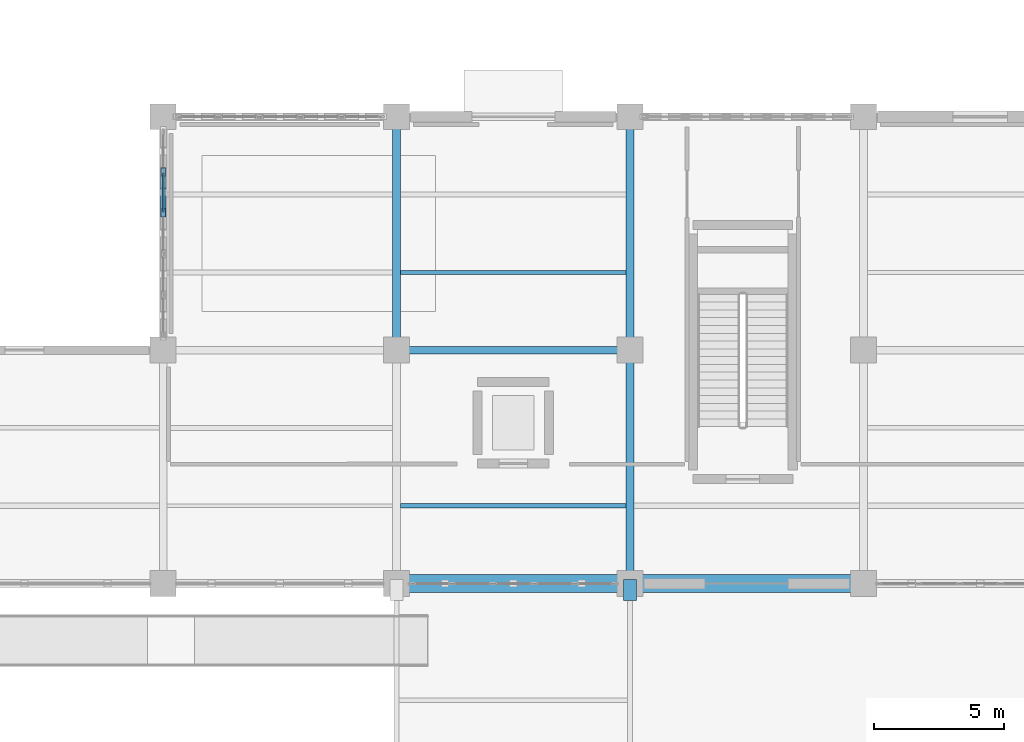
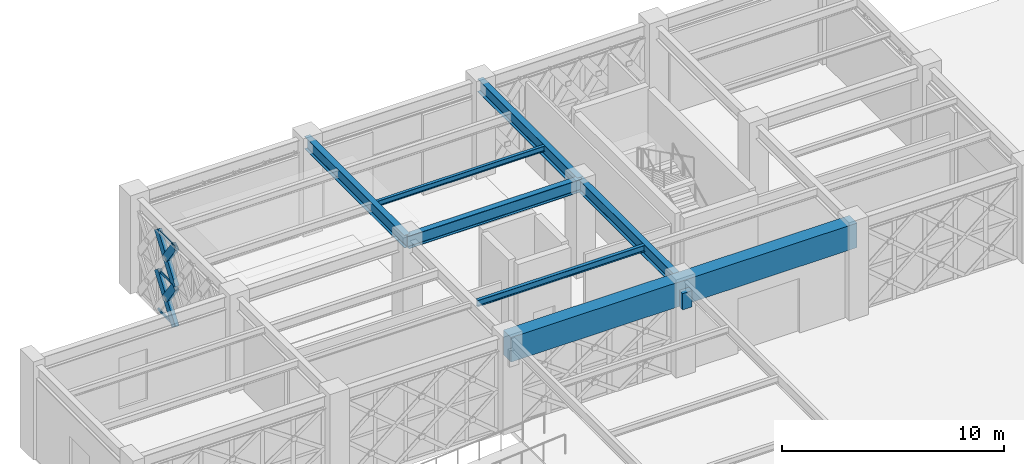
# One storey, part 42 of 140: 8 beams, 7 members, 1 element without a shape of its own.
"""IFC4 building model written with IfcOpenShell, lengths in metres."""

from ifc_helpers import new_model, si_unit, direction, frame, origin, origin_2d, place, context, subcontext, project, spatial, rectangle, hollow_rectangle, i_section, extrude, material, material_profile, profile_set, type_object, element, aggregate, save


model = new_model("IFC4")

# Units and contexts
model_context = context("Model", 3, precision=1e-05, world=origin(), true_north=direction((0.0, 1.0)))
body_context = subcontext(model_context, "Body", "Model", "MODEL_VIEW")
ifc_project = project(units=[si_unit("LENGTHUNIT", "METRE"), si_unit("AREAUNIT", "SQUARE_METRE"), si_unit("VOLUMEUNIT", "CUBIC_METRE"), si_unit("PLANEANGLEUNIT", "RADIAN"), si_unit("MASSUNIT", "GRAM", prefix="KILO")], contexts=[model_context])

# Site, building, storey
site_placement = place(None, origin())
site = spatial("IfcSite", under=ifc_project, at=site_placement, CompositionType="ELEMENT")
building_placement = place(site_placement, origin())
building = spatial("IfcBuilding", under=site, at=building_placement, Name="Haizhuo Lancet Aquarium", CompositionType="ELEMENT")
storey_placement = place(building_placement, origin())
storey = spatial("IfcBuildingStorey", under=building, at=storey_placement, Name="L00", CompositionType="ELEMENT", Elevation=0.0)

# Beams
ifc_material_1 = material(Name="Concrete C40/50", Category="concrete")
ifc_material_profile_1 = material_profile(ifc_material_1, rectangle(XDim=0.5, YDim=0.89990234375, at=origin_2d()), Name="RC-BM 500x900")
ifc_profile_set_1 = profile_set([ifc_material_profile_1], Name="Concrete C40/50")
beam_type_1 = type_object("IfcBeamType", Name="BM-RC-500x900", PredefinedType="BEAM", material=ifc_profile_set_1)
beam_1_placement = place(storey_placement, frame((-54.0, 9.14990234375, 4.205078125), z_axis=(0.0, -1.0, 0.0), x_axis=(1.0, 0.0, 0.0)))
element("IfcBeam", 1, at=beam_1_placement, inside=storey, type_object=beam_type_1, Name="Reinforced concrete bridge bearing corbel SB-01 2N", PredefinedType="BEAM", context=body_context, shape_type="SweptSolid", body=[
    extrude(rectangle(XDim=0.5, YDim=0.89990234375, at=origin_2d()), origin(), (0.0, 0.0, 1.0), 0.7998046875),
])
ifc_material_2 = material(Name="Steel S355", Category="steel")
ifc_material_profile_2 = material_profile(ifc_material_2, i_section(OverallWidth=0.300048828125, OverallDepth=0.699951171875, WebThickness=0.012939453125, FlangeThickness=0.02392578125, FilletRadius=0.02587890625, at=origin_2d()), Name="HN 700x300x13x24")
ifc_profile_set_2 = profile_set([ifc_material_profile_2], Name="Steel S355")
beam_type_2 = type_object("IfcBeamType", Name="BM-ST-HN700", PredefinedType="BEAM", material=ifc_profile_set_2)
for number, where, z_axis, x_axis, name in (
    (2, (-63.0, 18.0, 4.77001953125), (0.0, 1.0, 0.0), (-1.0, 0.0, 0.0), "L00 V2 primary girder BM-L00-V2-010"),
    (3, (-63.0, 18.0, 4.77001953125), (1.0, 0.0, 0.0), (0.0, 1.0, 0.0), "L00 V2 primary girder BM-L00-V2-011"),
    (4, (-54.0, 9.0, 4.77001953125), (0.0, 1.0, 0.0), (-1.0, 0.0, 0.0), "L00 V2 primary girder BM-L00-V2-013"),
    (5, (-54.0, 18.0, 4.77001953125), (0.0, 1.0, 0.0), (-1.0, 0.0, 0.0), "L00 V2 primary girder BM-L00-V2-014"),
):
    element("IfcBeam", number, at=place(storey_placement, frame(where, z_axis=z_axis, x_axis=x_axis)), inside=storey, type_object=beam_type_2, Name=name, PredefinedType="BEAM", context=body_context, shape_type="SweptSolid", body=[
        extrude(i_section(OverallWidth=0.300048828125, OverallDepth=0.699951171875, WebThickness=0.012939453125, FlangeThickness=0.02392578125, FilletRadius=0.02587890625, at=origin_2d()), origin(), (0.0, 0.0, 1.0), 9.0),
    ])
ifc_material_3 = material(Name="Concrete C50/60", Category="concrete")
ifc_material_profile_3 = material_profile(ifc_material_3, rectangle(XDim=0.699951171875, YDim=1.35009765625, at=origin_2d()), Name="RC-TG 700x1350")
ifc_profile_set_3 = profile_set([ifc_material_profile_3], Name="Concrete C50/60")
beam_type_3 = type_object("IfcBeamType", Name="BM-TG-700x1350", PredefinedType="USERDEFINED", material=ifc_profile_set_3)
beam_2_placement = place(storey_placement, frame((-63.0, 9.0, 4.445068359375), z_axis=(1.0, 0.0, 0.0), x_axis=(0.0, 1.0, 0.0)))
element("IfcBeam", 6, at=beam_2_placement, inside=storey, type_object=beam_type_3, Name="Transfer girder BM-L00-TG04", ObjectType="TRANSFER GIRDER", PredefinedType="USERDEFINED", context=body_context, shape_type="SweptSolid", body=[
    extrude(rectangle(XDim=0.699951171875, YDim=1.35009765625, at=origin_2d()), origin(), (0.0, 0.0, 1.0), 18.0),
])

# Curtain wall, members
ifc_material_4 = material(Name="Aluminium 6063-T6", Category="aluminium")
curtain_wall_type = type_object("IfcCurtainWallType", Name="CWD-7910x4420", PredefinedType="NOTDEFINED", material=ifc_material_4)
curtain_wall_placement = place(storey_placement, origin())
curtain_wall = element("IfcCurtainWall", 7, at=curtain_wall_placement, inside=storey, type_object=curtain_wall_type, Name="L00 curtain wall CW-V2-L00-013", PredefinedType="NOTDEFINED")
ifc_material_profile_4 = material_profile(ifc_material_4, hollow_rectangle(XDim=0.06494140625, YDim=0.139892578125, WallThickness=0.00390625, at=origin_2d()), Name="ALU-T 65x140x4")
ifc_profile_set_4 = profile_set([ifc_material_profile_4], Name="Aluminium 6063-T6")
member_type_1 = type_object("IfcMemberType", Name="CW-TRN-1", PredefinedType="NOTDEFINED", material=ifc_profile_set_4)
member_1_placement = place(storey_placement, frame((-72.0, 23.322998046875, 0.032958984375), z_axis=(0.0, 1.0, 0.0), x_axis=(-1.0, 0.0, 0.0)))
member_1 = element("IfcMember", 8, at=member_1_placement, type_object=member_type_1, Name="CWD-79x44 transom 4.1", ObjectType="TRANSOM", PredefinedType="USERDEFINED", context=body_context, shape_type="SweptSolid", body=[
    extrude(hollow_rectangle(XDim=0.06494140625, YDim=0.139892578125, WallThickness=0.00390625, at=origin_2d()), origin(), (0.0, 0.0, 1.0), 1.51708984375),
])
member_2_placement = place(storey_placement, frame((-72.0, 23.322998046875, 2.2099609375), z_axis=(0.0, 1.0, 0.0), x_axis=(-1.0, 0.0, 0.0)))
member_2 = element("IfcMember", 9, at=member_2_placement, type_object=member_type_1, Name="CWD-79x44 transom 4.2", ObjectType="TRANSOM", PredefinedType="USERDEFINED", context=body_context, shape_type="SweptSolid", body=[
    extrude(hollow_rectangle(XDim=0.06494140625, YDim=0.139892578125, WallThickness=0.00390625, at=origin_2d()), origin(), (0.0, 0.0, 1.0), 1.51708984375),
])
member_3_placement = place(storey_placement, frame((-72.0, 23.322998046875, 4.387939453125), z_axis=(0.0, 1.0, 0.0), x_axis=(-1.0, 0.0, 0.0)))
member_3 = element("IfcMember", 10, at=member_3_placement, type_object=member_type_1, Name="CWD-79x44 transom 4.3", ObjectType="TRANSOM", PredefinedType="USERDEFINED", context=body_context, shape_type="SweptSolid", body=[
    extrude(hollow_rectangle(XDim=0.06494140625, YDim=0.139892578125, WallThickness=0.00390625, at=origin_2d()), origin(), (0.0, 0.0, 1.0), 1.51708984375),
])
aggregate(curtain_wall, [member_1, member_2, member_3])

# Beams
ifc_material_profile_5 = material_profile(ifc_material_2, i_section(OverallWidth=0.14990234375, OverallDepth=0.300048828125, WebThickness=0.006591796875, FlangeThickness=0.009033203125, FilletRadius=0.012939453125, at=origin_2d()), Name="HN 300x150x6.5x9")
ifc_profile_set_5 = profile_set([ifc_material_profile_5], Name="Steel S355")
beam_type_4 = type_object("IfcBeamType", Name="JST-ST-HN300", PredefinedType="JOIST", material=ifc_profile_set_5)
beam_3_placement = place(storey_placement, frame((-62.85009765625, 21.0, 4.969970703125), z_axis=(1.0, 0.0, 0.0), x_axis=(0.0, 1.0, 0.0)))
element("IfcBeam", 11, at=beam_3_placement, inside=storey, type_object=beam_type_4, Name="L00 V2 secondary floor joist 8", PredefinedType="JOIST", context=body_context, shape_type="SweptSolid", body=[
    extrude(i_section(OverallWidth=0.14990234375, OverallDepth=0.300048828125, WebThickness=0.006591796875, FlangeThickness=0.009033203125, FilletRadius=0.012939453125, at=origin_2d()), origin(), (0.0, 0.0, 1.0), 8.7001953125),
])
ifc_material_profile_6 = material_profile(ifc_material_2, i_section(OverallWidth=0.175048828125, OverallDepth=0.35009765625, WebThickness=0.007080078125, FlangeThickness=0.010986328125, FilletRadius=0.013916015625, at=origin_2d()), Name="HN 350x175x7x11")
ifc_profile_set_6 = profile_set([ifc_material_profile_6], Name="Steel S355")
beam_type_5 = type_object("IfcBeamType", Name="JST-ST-HN350", PredefinedType="JOIST", material=ifc_profile_set_6)
beam_4_placement = place(storey_placement, frame((-62.85009765625, 12.0, 4.945068359375), z_axis=(1.0, 0.0, 0.0), x_axis=(0.0, 1.0, 0.0)))
element("IfcBeam", 12, at=beam_4_placement, inside=storey, type_object=beam_type_5, Name="L00 V2 secondary floor joist 7", PredefinedType="JOIST", context=body_context, shape_type="SweptSolid", body=[
    extrude(i_section(OverallWidth=0.175048828125, OverallDepth=0.35009765625, WebThickness=0.007080078125, FlangeThickness=0.010986328125, FilletRadius=0.013916015625, at=origin_2d()), origin(), (0.0, 0.0, 1.0), 8.7001953125),
])

# Members
ifc_material_profile_7 = material_profile(ifc_material_2, hollow_rectangle(XDim=0.199951171875, YDim=0.39990234375, WallThickness=0.011962890625, at=origin_2d()), Name="RHS 200x400x12")
ifc_profile_set_7 = profile_set([ifc_material_profile_7], Name="Steel S355")
member_type_2 = type_object("IfcMemberType", Name="MEM-LB-RHS200x400", PredefinedType="BRACE", material=ifc_profile_set_7)
member_4_placement = place(storey_placement, frame((-72.0, 23.291015625, 0.0), z_axis=(0.0, 0.582087604305, 0.813126079347), x_axis=(-1.0, 0.0, 0.0)))
element("IfcMember", 13, at=member_4_placement, inside=storey, type_object=member_type_2, Name="Gothic lancet continuous diagonal brace CW-V2-L00-013 7A", PredefinedType="BRACE", context=body_context, shape_type="SweptSolid", body=[
    extrude(hollow_rectangle(XDim=0.199951171875, YDim=0.39990234375, WallThickness=0.011962890625, at=origin_2d()), origin(), (0.0, 0.0, 1.0), 2.7177734375),
])
member_5_placement = place(storey_placement, frame((-72.0, 24.08203125, 1.10498046875), z_axis=(0.0, -0.582087604305, 0.813126079347), x_axis=(1.0, 0.0, 0.0)))
element("IfcMember", 14, at=member_5_placement, inside=storey, type_object=member_type_2, Name="Gothic lancet split diagonal brace CW-V2-L00-013 7B2", PredefinedType="BRACE", context=body_context, shape_type="SweptSolid", body=[
    extrude(hollow_rectangle(XDim=0.199951171875, YDim=0.39990234375, WallThickness=0.011962890625, at=origin_2d()), origin(), (0.0, 0.0, 1.0), 1.35888671875),
])
member_6_placement = place(storey_placement, frame((-72.0, 23.291015625, 2.2099609375), z_axis=(0.0, 0.582087604305, 0.813126079347), x_axis=(-1.0, 0.0, 0.0)))
element("IfcMember", 15, at=member_6_placement, inside=storey, type_object=member_type_2, Name="Gothic lancet continuous diagonal brace CW-V2-L00-013 8A", PredefinedType="BRACE", context=body_context, shape_type="SweptSolid", body=[
    extrude(hollow_rectangle(XDim=0.199951171875, YDim=0.39990234375, WallThickness=0.011962890625, at=origin_2d()), origin(), (0.0, 0.0, 1.0), 2.7177734375),
])
member_7_placement = place(storey_placement, frame((-72.0, 24.08203125, 3.31494140625), z_axis=(0.0, -0.582087604305, 0.813126079347), x_axis=(1.0, 0.0, 0.0)))
element("IfcMember", 16, at=member_7_placement, inside=storey, type_object=member_type_2, Name="Gothic lancet split diagonal brace CW-V2-L00-013 8B2", PredefinedType="BRACE", context=body_context, shape_type="SweptSolid", body=[
    extrude(hollow_rectangle(XDim=0.199951171875, YDim=0.39990234375, WallThickness=0.011962890625, at=origin_2d()), origin(), (0.0, 0.0, 1.0), 1.35888671875),
])

save(model, "model.ifc")
